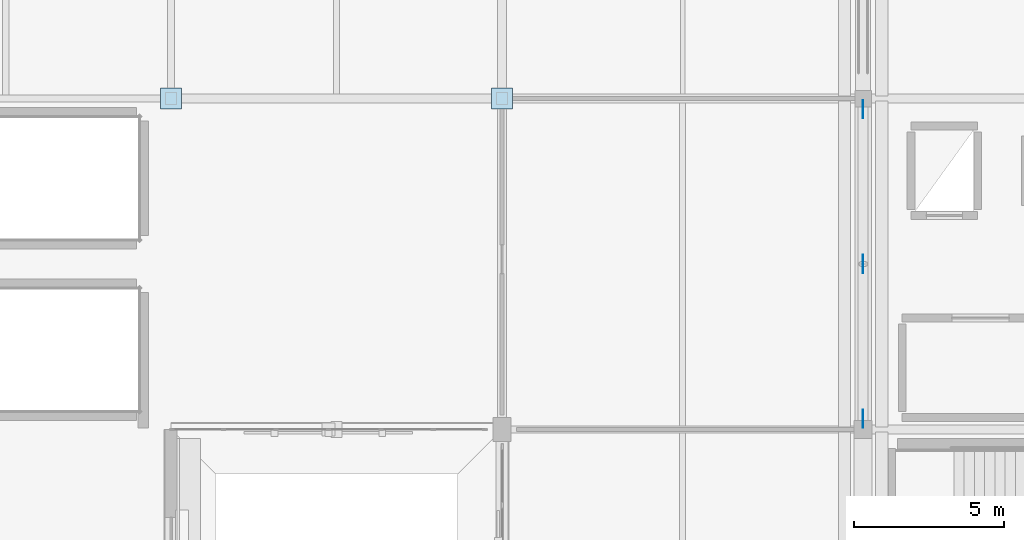
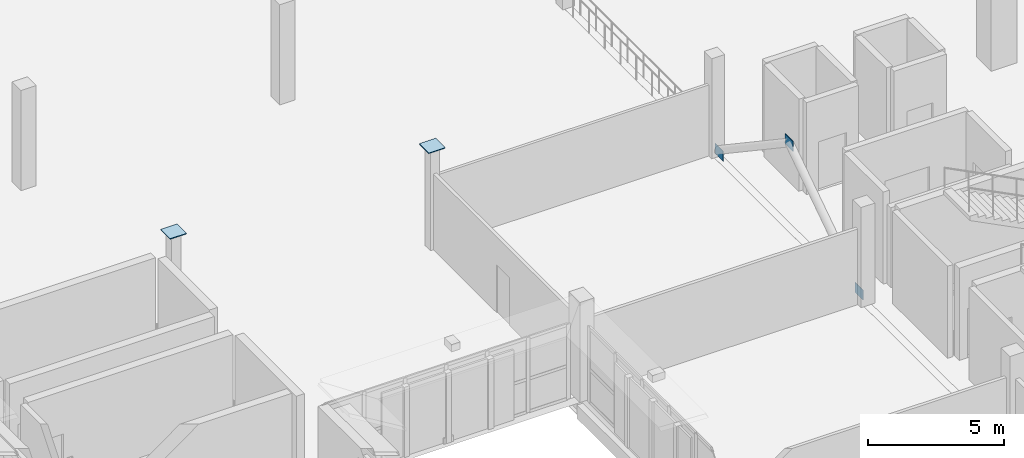
# One storey, part 75 of 118: 5 plates.
"""IFC4 building model written with IfcOpenShell, lengths in metres."""

from ifc_helpers import new_model, si_unit, direction, frame, origin, origin_2d, place, context, subcontext, project, spatial, rectangle, extrude, material, layer, layer_set, type_object, element, save


model = new_model("IFC4")

# Units and contexts
model_context = context("Model", 3, precision=1e-05, world=origin(), true_north=direction((0.0, 1.0)))
body_context = subcontext(model_context, "Body", "Model", "MODEL_VIEW")
ifc_project = project(units=[si_unit("LENGTHUNIT", "METRE"), si_unit("AREAUNIT", "SQUARE_METRE"), si_unit("VOLUMEUNIT", "CUBIC_METRE"), si_unit("PLANEANGLEUNIT", "RADIAN"), si_unit("MASSUNIT", "GRAM", prefix="KILO")], contexts=[model_context])

# Site, building, storey
site_placement = place(None, origin())
site = spatial("IfcSite", under=ifc_project, at=site_placement, CompositionType="ELEMENT")
building_placement = place(site_placement, origin())
building = spatial("IfcBuilding", under=site, at=building_placement, Name="Luwafu Chhajja Arena", CompositionType="ELEMENT")
storey_placement = place(building_placement, frame((0.0, 0.0, 10.199951171875)))
storey = spatial("IfcBuildingStorey", under=building, at=storey_placement, Name="L02", CompositionType="ELEMENT", Elevation=10.199951171875)

# Plates
ifc_material = material(Name="Steel S355", Category="steel")
ifc_layer_1 = layer(ifc_material, 0.031982421875, Name="Steel S355")
ifc_layer_set_1 = layer_set([ifc_layer_1], Name="Steel S355")
plate_type_1 = type_object("IfcPlateType", Name="Atrium Column Base Plate BP-2", PredefinedType="USERDEFINED", material=ifc_layer_set_1)
for number, where, z_axis, x_axis, name in (
    (1, (11.0, 33.0, 4.5), (0.0, 0.0, 1.0), (1.0, 0.0, 0.0), "L02 Atrium Column Cap Plate BP-2 2/D"),
    (2, (22.0, 33.0, 4.5), (0.0, 0.0, 1.0), (1.0, 0.0, 0.0), "L02 Atrium Column Cap Plate BP-2 3/D"),
):
    element("IfcPlate", number, at=place(storey_placement, frame(where, z_axis=z_axis, x_axis=x_axis)), inside=storey, type_object=plate_type_1, Name=name, ObjectType="BASE PLATE", PredefinedType="USERDEFINED", context=body_context, shape_type="SweptSolid", body=[
        extrude(rectangle(XDim=0.699951171875, YDim=0.699951171875, at=origin_2d()), origin(), (0.0, 0.0, 1.0), 0.031982421875),
    ])
ifc_layer_2 = layer(ifc_material, 0.02197265625, Name="Steel S355")
ifc_layer_set_2 = layer_set([ifc_layer_2], Name="Steel S355")
plate_type_2 = type_object("IfcPlateType", Name="Lateral Brace Gusset Plate BN-1", PredefinedType="USERDEFINED", material=ifc_layer_set_2)
for number, where, z_axis, x_axis, name in (
    (3, (34.0, 27.5, 3.5849609375), (0.0, 0.0, 1.0), (1.0, 0.0, 0.0), "L02 Chevron Apex Gusset Plate BN-1 04"),
    (4, (34.0, 22.35009765625, 0.02490234375), (0.0, 0.0, 1.0), (1.0, 0.0, 0.0), "L02 Brace Base Gusset BN-1 04A"),
    (5, (34.0, 32.64990234375, 0.02490234375), (0.0, 0.0, 1.0), (1.0, 0.0, 0.0), "L02 Brace Base Gusset BN-1 04B"),
):
    element("IfcPlate", number, at=place(storey_placement, frame(where, z_axis=z_axis, x_axis=x_axis)), inside=storey, type_object=plate_type_2, Name=name, ObjectType="GUSSET PLATE", PredefinedType="USERDEFINED", context=body_context, shape_type="SweptSolid", body=[
        extrude(rectangle(XDim=0.02197265625, YDim=0.60009765625, at=origin_2d()), origin(), (0.0, 0.0, 1.0), 0.449951171875),
    ])

save(model, "model.ifc")
